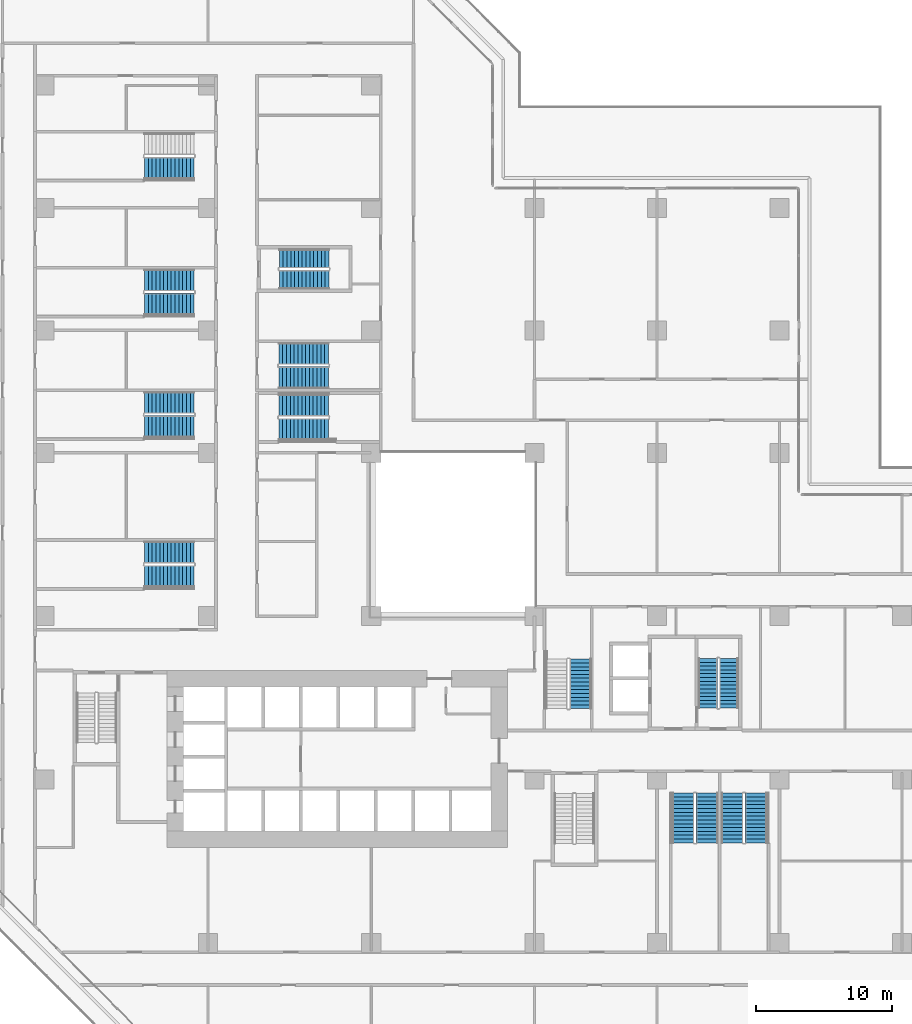
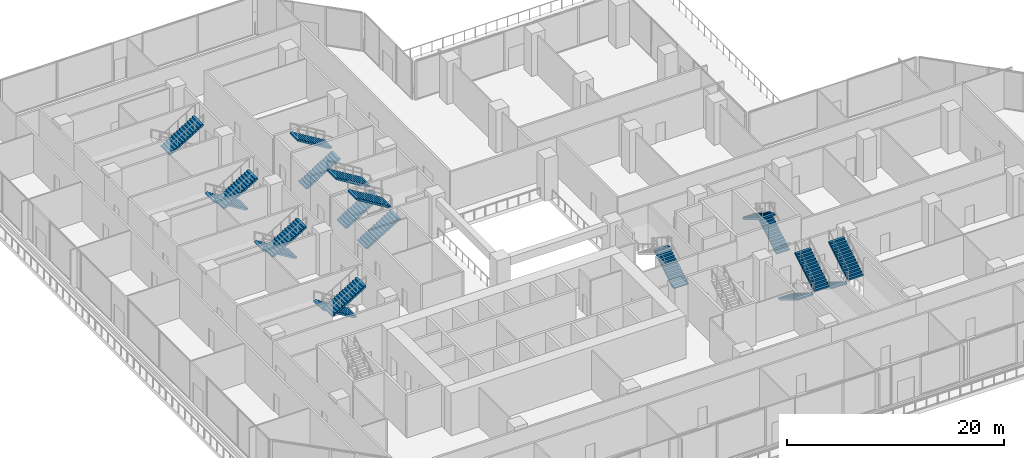
# One storey, part 20 of 26: 20 stair flights, 11 elements without a shape of their own.
"""IFC4 building model written with IfcOpenShell, lengths in metres."""

import ifcopenshell
import ifcopenshell.guid

model = None  # the IFC model being written
_history = None  # IfcOwnerHistory: only IFC2X3 demands one
_inside = {}  # id of a spatial element -> (the spatial element, [elements in it])
_under = {}  # id of a project, library or spatial element -> (it, [spatial elements below it])
_declared = {}  # id of a project -> (the project, [libraries it declares])
_typed = {}  # id of a type object -> (the type object, [elements of that type])
_made_of = {}  # id of a material, layer set ... -> (it, [elements and type objects made of it])


def new_model(schema):
    """Start an empty IFC model of exactly this schema.

    Asked for "IFC4X3", IfcOpenShell would pick the latest addendum, in which some entities
    have other attributes; the version numbers below select the first issue.
    IFC2X3 requires an IfcOwnerHistory on every rooted entity: one is made here for all.
    """
    global model, _history
    if schema == "IFC4X3":
        model = ifcopenshell.file(schema_version=(4, 3, 0, 0))
    else:
        model = ifcopenshell.file(schema=schema)
    _inside.clear()
    _under.clear()
    _declared.clear()
    _typed.clear()
    _made_of.clear()
    _history = None
    if model.schema == "IFC2X3":
        org = make("IfcOrganization", Name="unknown")
        user = make(
            "IfcPersonAndOrganization",
            ThePerson=make("IfcPerson", FamilyName="unknown"),
            TheOrganization=org,
        )
        app = make(
            "IfcApplication",
            ApplicationDeveloper=org,
            Version="unknown",
            ApplicationFullName="unknown",
            ApplicationIdentifier="unknown",
        )
        _history = make(
            "IfcOwnerHistory",
            OwningUser=user,
            OwningApplication=app,
            ChangeAction="ADDED",
            CreationDate=0,
        )
    return model


def make(cls, **values):
    """One entity of the class cls with the attributes given. An attribute that is None is left unset."""
    return model.create_entity(
        cls, **{name: value for name, value in values.items() if value is not None}
    )


def rooted(cls, **values):
    """An entity with a GlobalId (a new one), such as an element, a storey or a relation."""
    return make(cls, GlobalId=ifcopenshell.guid.new(), OwnerHistory=_history, **values)


def si_unit(unit_type, name, prefix=None):
    """IfcSIUnit, for example si_unit("LENGTHUNIT", "METRE", prefix="MILLI")."""
    return make("IfcSIUnit", UnitType=unit_type, Prefix=prefix, Name=name)


def assignment(units):
    """IfcUnitAssignment: the units of a project."""
    return None if units is None else make("IfcUnitAssignment", Units=units)


def point(xyz):
    """IfcCartesianPoint."""
    return None if xyz is None else make("IfcCartesianPoint", Coordinates=xyz)


def direction(xyz):
    """IfcDirection."""
    return None if xyz is None else make("IfcDirection", DirectionRatios=xyz)


def frame(location, z_axis=None, x_axis=None):
    """IfcAxis2Placement3D, a coordinate frame: its origin and axes. An axis left out is left unset."""
    return make(
        "IfcAxis2Placement3D",
        Location=point(location),
        Axis=direction(z_axis),
        RefDirection=direction(x_axis),
    )


def origin():
    """The frame at (0, 0, 0) with its axes left unset."""
    return frame((0.0, 0.0, 0.0))


def place(relative_to, where):
    """IfcLocalPlacement: puts the frame where relative to a parent placement (None: the world)."""
    return make(
        "IfcLocalPlacement", PlacementRelTo=relative_to, RelativePlacement=where
    )


def context(
    kind, dimensions, precision=None, world=None, true_north=None, identifier=None
):
    """IfcGeometricRepresentationContext, for example the 3D "Model" context."""
    return make(
        "IfcGeometricRepresentationContext",
        ContextIdentifier=identifier,
        ContextType=kind,
        CoordinateSpaceDimension=dimensions,
        Precision=precision,
        WorldCoordinateSystem=world,
        TrueNorth=true_north,
    )


def subcontext(parent, identifier, kind, view, scale=None):
    """IfcGeometricRepresentationSubContext, for example "Body" below "Model"."""
    return make(
        "IfcGeometricRepresentationSubContext",
        ContextIdentifier=identifier,
        ContextType=kind,
        ParentContext=parent,
        TargetScale=scale,
        TargetView=view,
    )


def project(units=None, contexts=None):
    """IfcProject with its units and contexts."""
    return rooted(
        "IfcProject",
        Name="project",
        RepresentationContexts=contexts,
        UnitsInContext=assignment(units),
    )


def spatial(cls, under=None, at=None, **own):
    """A site, building, storey or space (cls), placed at a placement, below another one or the project."""
    s = rooted(cls, ObjectPlacement=at, **own)
    if under is not None:
        _under.setdefault(under.id(), (under, []))[1].append(s)
    return s


def polyline(points):
    """IfcPolyline through the points."""
    return make("IfcPolyline", Points=[point(p) for p in points])


def outline(outer, holes=None, kind="AREA"):
    """IfcArbitraryClosedProfileDef: a profile drawn as a closed curve; with holes, ...WithVoids."""
    if holes is None:
        return make("IfcArbitraryClosedProfileDef", ProfileType=kind, OuterCurve=outer)
    return make(
        "IfcArbitraryProfileDefWithVoids",
        ProfileType=kind,
        OuterCurve=outer,
        InnerCurves=holes,
    )


def extrude(swept, where, along, depth):
    """IfcExtrudedAreaSolid: the profile swept, set in the frame where, extruded along a direction by depth."""
    return make(
        "IfcExtrudedAreaSolid",
        SweptArea=swept,
        Position=where,
        ExtrudedDirection=direction(along),
        Depth=depth,
    )


def shape(context_of_items, identifier, shape_type, items):
    """IfcShapeRepresentation: the items that make up one representation, for example the "Body"."""
    return make(
        "IfcShapeRepresentation",
        ContextOfItems=context_of_items,
        RepresentationIdentifier=identifier,
        RepresentationType=shape_type,
        Items=items,
    )


def material(Name=None, Category=None):
    """IfcMaterial."""
    return make("IfcMaterial", Name=Name, Category=Category)


def made_of(thing, what):
    """Note that an element or type object is made of a material, layer set ...; save() writes the relation."""
    if what is not None:
        _made_of.setdefault(what.id(), (what, []))[1].append(thing)
    return thing


def type_object(cls, material=None, **own):
    """A type object (cls), such as IfcWallType, which elements share."""
    return made_of(rooted(cls, **own), material)


def element(
    cls,
    number,
    at=None,
    inside=None,
    cuts=None,
    type_object=None,
    material=None,
    context=None,
    identifier="Body",
    shape_type=None,
    held_by="IfcProductDefinitionShape",
    body=None,
    shapes=None,
    **own,
):
    """One element of the class cls, such as IfcWall. Its Tag is "e" and its number.

    at: its placement. inside: the storey or other place that contains it. cuts: it is an
    opening in that element (IfcRelVoidsElement). A single representation is given by context,
    identifier, shape_type and body (its items); several are given by shapes. held_by: the class
    of the entity that holds the representations. save() writes the other relations.
    """
    e = rooted(cls, Tag="e%d" % number, ObjectPlacement=at, **own)
    if body is not None:
        shapes = [shape(context, identifier, shape_type, body)]
    if shapes is not None:
        e.Representation = make(held_by, Representations=shapes)
    if inside is not None:
        _inside.setdefault(inside.id(), (inside, []))[1].append(e)
    if cuts is not None:
        rooted(
            "IfcRelVoidsElement", RelatingBuildingElement=cuts, RelatedOpeningElement=e
        )
    if type_object is not None:
        _typed.setdefault(type_object.id(), (type_object, []))[1].append(e)
    return made_of(e, material)


def aggregate(whole, parts):
    """IfcRelAggregates: a whole, such as a stair, and the parts it consists of."""
    return rooted("IfcRelAggregates", RelatingObject=whole, RelatedObjects=parts)


def save(model, path):
    """Write the relations noted so far, then the file.

    IfcRelAggregates (storeys below a building ...), IfcRelContainedInSpatialStructure (elements
    in a storey), IfcRelDefinesByType, IfcRelAssociatesMaterial and IfcRelDeclares: one each for
    every whole, place, type object, material and project.
    """
    for whole, parts in _under.values():
        aggregate(whole, parts)
    for where, things in _inside.values():
        rooted(
            "IfcRelContainedInSpatialStructure",
            RelatedElements=things,
            RelatingStructure=where,
        )
    for kind, things in _typed.values():
        rooted("IfcRelDefinesByType", RelatedObjects=things, RelatingType=kind)
    for what, things in _made_of.values():
        rooted("IfcRelAssociatesMaterial", RelatedObjects=things, RelatingMaterial=what)
    for by, libraries in _declared.values():
        rooted("IfcRelDeclares", RelatingContext=by, RelatedDefinitions=libraries)
    model.write(path)


model = new_model("IFC4")

# Units and contexts
model_context = context("Model", 3, precision=1e-05, world=origin(), true_north=direction((0.0, 1.0)))
body_context = subcontext(model_context, "Body", "Model", "MODEL_VIEW")
ifc_project = project(units=[si_unit("LENGTHUNIT", "METRE"), si_unit("AREAUNIT", "SQUARE_METRE"), si_unit("VOLUMEUNIT", "CUBIC_METRE"), si_unit("PLANEANGLEUNIT", "RADIAN"), si_unit("MASSUNIT", "GRAM", prefix="KILO")], contexts=[model_context])

# Site, building, storey
site_placement = place(None, origin())
site = spatial("IfcSite", under=ifc_project, at=site_placement, CompositionType="ELEMENT")
building_placement = place(site_placement, origin())
building = spatial("IfcBuilding", under=site, at=building_placement, Name="Chenar Terraces", CompositionType="ELEMENT")
storey_placement = place(building_placement, frame((0.0, 0.0, 16.800048828125)))
storey = spatial("IfcBuildingStorey", under=building, at=storey_placement, Name="L03", CompositionType="ELEMENT", Elevation=16.800048828125)

# Stair, stair flights
ifc_material_1 = material(Name="Reinforced concrete C40/50", Category="concrete")
stair_type = type_object("IfcStairType", Name="Core stair 1400 half-turn", PredefinedType="HALF_TURN_STAIR", material=ifc_material_1)
placement = place(storey_placement, origin())
stair_1 = element("IfcStair", 1, at=placement, inside=storey, type_object=stair_type, Name="L03 Stair 3", PredefinedType="HALF_TURN_STAIR")
ifc_material_2 = material(Name="Reinforced concrete C40/50", Category="concrete")
stair_flight_type = type_object("IfcStairFlightType", Name="Core stair flight 1400", PredefinedType="STRAIGHT", material=ifc_material_2)
stair_flight_1_placement = place(storey_placement, frame((50.27490234375, 17.25, 0.0), z_axis=(0.0, 0.0, 1.0), x_axis=(0.0, 1.0, 0.0)))
stair_flight_1 = element("IfcStairFlight", 2, at=stair_flight_1_placement, type_object=stair_flight_type, Name="ST3 flight 1", NumberOfRisers=14, NumberOfTreads=13, PredefinedType="STRAIGHT", RiserHeight=0.171428571, TreadLength=0.28, context=body_context, shape_type="SweptSolid", body=[
    extrude(outline(polyline([(-0.0029296875, 0.0), (-0.0029296875, 0.17138671875), (0.0, 0.17138671875), (0.280029296875, 0.17138671875), (0.280029296875, 0.3427734375), (0.56005859375, 0.3427734375), (0.56005859375, 0.514404296875), (0.840087890625, 0.514404296875), (0.840087890625, 0.685791015625), (1.1201171875, 0.685791015625), (1.1201171875, 0.857177734375), (1.39990234375, 0.857177734375), (1.39990234375, 1.028564453125), (1.679931640625, 1.028564453125), (1.679931640625, 1.199951171875), (1.9599609375, 1.199951171875), (1.9599609375, 1.371337890625), (2.239990234375, 1.371337890625), (2.239990234375, 1.54296875), (2.52001953125, 1.54296875), (2.52001953125, 1.71435546875), (2.800048828125, 1.71435546875), (2.800048828125, 1.8857421875), (3.080078125, 1.8857421875), (3.080078125, 2.05712890625), (3.360107421875, 2.05712890625), (3.360107421875, 2.228515625), (3.639892578125, 2.228515625), (3.64306640625, 2.228515625), (3.64306640625, 2.052734375), (3.639892578125, 2.052734375), (0.287109375, 0.0), (-0.0029296875, 0.0)])), frame((0.0, 0.699951171875, 0.0), z_axis=(0.0, -1.0, 0.0), x_axis=(1.0, 0.0, 0.0)), (0.0, 0.0, 1.0), 1.39990234375),
])
stair_flight_2_placement = place(storey_placement, frame((48.72509765625, 20.889892578125, 2.39990234375), z_axis=(0.0, 0.0, 1.0), x_axis=(0.0, -1.0, 0.0)))
stair_flight_2 = element("IfcStairFlight", 3, at=stair_flight_2_placement, type_object=stair_flight_type, Name="ST3 flight 2", NumberOfRisers=14, NumberOfTreads=13, PredefinedType="STRAIGHT", RiserHeight=0.171428571, TreadLength=0.28, context=body_context, shape_type="SweptSolid", body=[
    extrude(outline(polyline([(-0.0029296875, 0.0), (-0.0029296875, 0.17138671875), (0.0, 0.17138671875), (0.280029296875, 0.17138671875), (0.280029296875, 0.3427734375), (0.56005859375, 0.3427734375), (0.56005859375, 0.514404296875), (0.840087890625, 0.514404296875), (0.840087890625, 0.685791015625), (1.1201171875, 0.685791015625), (1.1201171875, 0.857177734375), (1.39990234375, 0.857177734375), (1.39990234375, 1.028564453125), (1.679931640625, 1.028564453125), (1.679931640625, 1.199951171875), (1.9599609375, 1.199951171875), (1.9599609375, 1.371337890625), (2.239990234375, 1.371337890625), (2.239990234375, 1.54296875), (2.52001953125, 1.54296875), (2.52001953125, 1.71435546875), (2.800048828125, 1.71435546875), (2.800048828125, 1.8857421875), (3.080078125, 1.8857421875), (3.080078125, 2.05712890625), (3.360107421875, 2.05712890625), (3.360107421875, 2.228515625), (3.639892578125, 2.228515625), (3.64306640625, 2.228515625), (3.64306640625, 2.052734375), (3.639892578125, 2.052734375), (0.287109375, 0.0), (-0.0029296875, 0.0)])), frame((0.0, 0.699951171875, 0.0), z_axis=(0.0, -1.0, 0.0), x_axis=(1.0, 0.0, 0.0)), (0.0, 0.0, 1.0), 1.39990234375),
])
aggregate(stair_1, [stair_flight_1, stair_flight_2])

stair_2 = element("IfcStair", 4, at=placement, inside=storey, type_object=stair_type, Name="L03 Stair 4", PredefinedType="HALF_TURN_STAIR")
stair_flight_3_placement = place(storey_placement, frame((17.25, 48.72509765625, 0.0), z_axis=(0.0, 0.0, 1.0), x_axis=(1.0, 0.0, 0.0)))
stair_flight_3 = element("IfcStairFlight", 5, at=stair_flight_3_placement, type_object=stair_flight_type, Name="ST4 flight 1", NumberOfRisers=14, NumberOfTreads=13, PredefinedType="STRAIGHT", RiserHeight=0.171428571, TreadLength=0.28, context=body_context, shape_type="SweptSolid", body=[
    extrude(outline(polyline([(-0.0029296875, 0.0), (-0.0029296875, 0.17138671875), (0.0, 0.17138671875), (0.280029296875, 0.17138671875), (0.280029296875, 0.3427734375), (0.56005859375, 0.3427734375), (0.56005859375, 0.514404296875), (0.840087890625, 0.514404296875), (0.840087890625, 0.685791015625), (1.1201171875, 0.685791015625), (1.1201171875, 0.857177734375), (1.39990234375, 0.857177734375), (1.39990234375, 1.028564453125), (1.679931640625, 1.028564453125), (1.679931640625, 1.199951171875), (1.9599609375, 1.199951171875), (1.9599609375, 1.371337890625), (2.239990234375, 1.371337890625), (2.239990234375, 1.54296875), (2.52001953125, 1.54296875), (2.52001953125, 1.71435546875), (2.800048828125, 1.71435546875), (2.800048828125, 1.8857421875), (3.080078125, 1.8857421875), (3.080078125, 2.05712890625), (3.360107421875, 2.05712890625), (3.360107421875, 2.228515625), (3.639892578125, 2.228515625), (3.64306640625, 2.228515625), (3.64306640625, 2.052734375), (3.639892578125, 2.052734375), (0.287109375, 0.0), (-0.0029296875, 0.0)])), frame((0.0, 0.699951171875, 0.0), z_axis=(0.0, -1.0, 0.0), x_axis=(1.0, 0.0, 0.0)), (0.0, 0.0, 1.0), 1.39990234375),
])
stair_flight_4_placement = place(storey_placement, frame((20.889892578125, 50.27490234375, 2.39990234375), z_axis=(0.0, 0.0, 1.0), x_axis=(-1.0, 0.0, 0.0)))
stair_flight_4 = element("IfcStairFlight", 6, at=stair_flight_4_placement, type_object=stair_flight_type, Name="ST4 flight 2", NumberOfRisers=14, NumberOfTreads=13, PredefinedType="STRAIGHT", RiserHeight=0.171428571, TreadLength=0.28, context=body_context, shape_type="SweptSolid", body=[
    extrude(outline(polyline([(-0.0029296875, 0.0), (-0.0029296875, 0.17138671875), (0.0, 0.17138671875), (0.280029296875, 0.17138671875), (0.280029296875, 0.3427734375), (0.56005859375, 0.3427734375), (0.56005859375, 0.514404296875), (0.840087890625, 0.514404296875), (0.840087890625, 0.685791015625), (1.1201171875, 0.685791015625), (1.1201171875, 0.857177734375), (1.39990234375, 0.857177734375), (1.39990234375, 1.028564453125), (1.679931640625, 1.028564453125), (1.679931640625, 1.199951171875), (1.9599609375, 1.199951171875), (1.9599609375, 1.371337890625), (2.239990234375, 1.371337890625), (2.239990234375, 1.54296875), (2.52001953125, 1.54296875), (2.52001953125, 1.71435546875), (2.800048828125, 1.71435546875), (2.800048828125, 1.8857421875), (3.080078125, 1.8857421875), (3.080078125, 2.05712890625), (3.360107421875, 2.05712890625), (3.360107421875, 2.228515625), (3.639892578125, 2.228515625), (3.64306640625, 2.228515625), (3.64306640625, 2.052734375), (3.639892578125, 2.052734375), (0.287109375, 0.0), (-0.0029296875, 0.0)])), frame((0.0, 0.699951171875, 0.0), z_axis=(0.0, -1.0, 0.0), x_axis=(1.0, 0.0, 0.0)), (0.0, 0.0, 1.0), 1.39990234375),
])
aggregate(stair_2, [stair_flight_3, stair_flight_4])

# Stair, stair flight
stair_3 = element("IfcStair", 7, at=placement, inside=storey, type_object=stair_type, Name="L03 Exit stair PS1", PredefinedType="HALF_TURN_STAIR")
stair_flight_5_placement = place(storey_placement, frame((39.375, 17.199951171875, 0.0), z_axis=(0.0, 0.0, 1.0), x_axis=(0.0, 1.0, 0.0)))
stair_flight_5 = element("IfcStairFlight", 8, at=stair_flight_5_placement, type_object=stair_flight_type, Name="PS1 flight 1", NumberOfRisers=14, NumberOfTreads=13, PredefinedType="STRAIGHT", RiserHeight=0.171428571, TreadLength=0.28, context=body_context, shape_type="SweptSolid", body=[
    extrude(outline(polyline([(-0.0029296875, 0.0), (-0.0029296875, 0.17138671875), (0.0, 0.17138671875), (0.280029296875, 0.17138671875), (0.280029296875, 0.3427734375), (0.56005859375, 0.3427734375), (0.56005859375, 0.514404296875), (0.840087890625, 0.514404296875), (0.840087890625, 0.685791015625), (1.1201171875, 0.685791015625), (1.1201171875, 0.857177734375), (1.39990234375, 0.857177734375), (1.39990234375, 1.028564453125), (1.679931640625, 1.028564453125), (1.679931640625, 1.199951171875), (1.9599609375, 1.199951171875), (1.9599609375, 1.371337890625), (2.239990234375, 1.371337890625), (2.239990234375, 1.54296875), (2.52001953125, 1.54296875), (2.52001953125, 1.71435546875), (2.800048828125, 1.71435546875), (2.800048828125, 1.8857421875), (3.080078125, 1.8857421875), (3.080078125, 2.05712890625), (3.360107421875, 2.05712890625), (3.360107421875, 2.228515625), (3.639892578125, 2.228515625), (3.64306640625, 2.228515625), (3.64306640625, 2.052734375), (3.639892578125, 2.052734375), (0.287109375, 0.0), (-0.0029296875, 0.0)])), frame((0.0, 0.800048828125, 0.0), z_axis=(0.0, -1.0, 0.0), x_axis=(1.0, 0.0, 0.0)), (0.0, 0.0, 1.0), 1.60009765625),
])
aggregate(stair_3, [stair_flight_5])

# Stair, stair flights
stair_4 = element("IfcStair", 9, at=placement, inside=storey, type_object=stair_type, Name="L03 Exit stair PS2", PredefinedType="HALF_TURN_STAIR")
stair_flight_6_placement = place(storey_placement, frame((50.517578125, 10.985107421875, 0.0), z_axis=(0.0, 0.0, 1.0), x_axis=(0.0, -1.0, 0.0)))
stair_flight_6 = element("IfcStairFlight", 10, at=stair_flight_6_placement, type_object=stair_flight_type, Name="PS2 flight 1", NumberOfRisers=14, NumberOfTreads=13, PredefinedType="STRAIGHT", RiserHeight=0.171428571, TreadLength=0.28, context=body_context, shape_type="SweptSolid", body=[
    extrude(outline(polyline([(-0.0029296875, 0.0), (-0.0029296875, 0.17138671875), (0.0, 0.17138671875), (0.280029296875, 0.17138671875), (0.280029296875, 0.3427734375), (0.56005859375, 0.3427734375), (0.56005859375, 0.514404296875), (0.840087890625, 0.514404296875), (0.840087890625, 0.685791015625), (1.1201171875, 0.685791015625), (1.1201171875, 0.857177734375), (1.39990234375, 0.857177734375), (1.39990234375, 1.028564453125), (1.679931640625, 1.028564453125), (1.679931640625, 1.199951171875), (1.9599609375, 1.199951171875), (1.9599609375, 1.371337890625), (2.239990234375, 1.371337890625), (2.239990234375, 1.54296875), (2.52001953125, 1.54296875), (2.52001953125, 1.71435546875), (2.800048828125, 1.71435546875), (2.800048828125, 1.8857421875), (3.080078125, 1.8857421875), (3.080078125, 2.05712890625), (3.360107421875, 2.05712890625), (3.360107421875, 2.228515625), (3.639892578125, 2.228515625), (3.64306640625, 2.228515625), (3.64306640625, 2.052734375), (3.639892578125, 2.052734375), (0.287109375, 0.0), (-0.0029296875, 0.0)])), frame((0.0, 0.8076171875, 0.0), z_axis=(0.0, -1.0, 0.0), x_axis=(1.0, 0.0, 0.0)), (0.0, 0.0, 1.0), 1.614990234375),
])
stair_flight_7_placement = place(storey_placement, frame((52.282470703125, 7.344970703125, 2.39990234375), z_axis=(0.0, 0.0, 1.0), x_axis=(0.0, 1.0, 0.0)))
stair_flight_7 = element("IfcStairFlight", 11, at=stair_flight_7_placement, type_object=stair_flight_type, Name="PS2 flight 2", NumberOfRisers=14, NumberOfTreads=13, PredefinedType="STRAIGHT", RiserHeight=0.171428571, TreadLength=0.28, context=body_context, shape_type="SweptSolid", body=[
    extrude(outline(polyline([(-0.0029296875, 0.0), (-0.0029296875, 0.17138671875), (0.0, 0.17138671875), (0.280029296875, 0.17138671875), (0.280029296875, 0.3427734375), (0.56005859375, 0.3427734375), (0.56005859375, 0.514404296875), (0.840087890625, 0.514404296875), (0.840087890625, 0.685791015625), (1.1201171875, 0.685791015625), (1.1201171875, 0.857177734375), (1.39990234375, 0.857177734375), (1.39990234375, 1.028564453125), (1.679931640625, 1.028564453125), (1.679931640625, 1.199951171875), (1.9599609375, 1.199951171875), (1.9599609375, 1.371337890625), (2.239990234375, 1.371337890625), (2.239990234375, 1.54296875), (2.52001953125, 1.54296875), (2.52001953125, 1.71435546875), (2.800048828125, 1.71435546875), (2.800048828125, 1.8857421875), (3.080078125, 1.8857421875), (3.080078125, 2.05712890625), (3.360107421875, 2.05712890625), (3.360107421875, 2.228515625), (3.639892578125, 2.228515625), (3.64306640625, 2.228515625), (3.64306640625, 2.052734375), (3.639892578125, 2.052734375), (0.287109375, 0.0), (-0.0029296875, 0.0)])), frame((0.0, 0.8076171875, 0.0), z_axis=(0.0, -1.0, 0.0), x_axis=(1.0, 0.0, 0.0)), (0.0, 0.0, 1.0), 1.614990234375),
])
aggregate(stair_4, [stair_flight_6, stair_flight_7])

# Stair, stair flight
stair_5 = element("IfcStair", 12, at=placement, inside=storey, type_object=stair_type, Name="L03 Exit stair PS3", PredefinedType="HALF_TURN_STAIR")
stair_flight_8_placement = place(storey_placement, frame((7.344970703125, 56.91748046875, 2.39990234375), z_axis=(0.0, 0.0, 1.0), x_axis=(1.0, 0.0, 0.0)))
stair_flight_8 = element("IfcStairFlight", 13, at=stair_flight_8_placement, type_object=stair_flight_type, Name="PS3 flight 2", NumberOfRisers=14, NumberOfTreads=13, PredefinedType="STRAIGHT", RiserHeight=0.171428571, TreadLength=0.28, context=body_context, shape_type="SweptSolid", body=[
    extrude(outline(polyline([(-0.0029296875, 0.0), (-0.0029296875, 0.17138671875), (0.0, 0.17138671875), (0.280029296875, 0.17138671875), (0.280029296875, 0.3427734375), (0.56005859375, 0.3427734375), (0.56005859375, 0.514404296875), (0.840087890625, 0.514404296875), (0.840087890625, 0.685791015625), (1.1201171875, 0.685791015625), (1.1201171875, 0.857177734375), (1.39990234375, 0.857177734375), (1.39990234375, 1.028564453125), (1.679931640625, 1.028564453125), (1.679931640625, 1.199951171875), (1.9599609375, 1.199951171875), (1.9599609375, 1.371337890625), (2.239990234375, 1.371337890625), (2.239990234375, 1.54296875), (2.52001953125, 1.54296875), (2.52001953125, 1.71435546875), (2.800048828125, 1.71435546875), (2.800048828125, 1.8857421875), (3.080078125, 1.8857421875), (3.080078125, 2.05712890625), (3.360107421875, 2.05712890625), (3.360107421875, 2.228515625), (3.639892578125, 2.228515625), (3.64306640625, 2.228515625), (3.64306640625, 2.052734375), (3.639892578125, 2.052734375), (0.287109375, 0.0), (-0.0029296875, 0.0)])), frame((0.0, 0.8076171875, 0.0), z_axis=(0.0, -1.0, 0.0), x_axis=(1.0, 0.0, 0.0)), (0.0, 0.0, 1.0), 1.614990234375),
])
aggregate(stair_5, [stair_flight_8])

# Stair, stair flights
stair_6 = element("IfcStair", 14, at=placement, inside=storey, type_object=stair_type, Name="L03 Exit stair PS4", PredefinedType="HALF_TURN_STAIR")
stair_flight_9_placement = place(storey_placement, frame((10.985107421875, 48.6826171875, 0.0), z_axis=(0.0, 0.0, 1.0), x_axis=(-1.0, 0.0, 0.0)))
stair_flight_9 = element("IfcStairFlight", 15, at=stair_flight_9_placement, type_object=stair_flight_type, Name="PS4 flight 1", NumberOfRisers=14, NumberOfTreads=13, PredefinedType="STRAIGHT", RiserHeight=0.171428571, TreadLength=0.28, context=body_context, shape_type="SweptSolid", body=[
    extrude(outline(polyline([(-0.0029296875, 0.0), (-0.0029296875, 0.17138671875), (0.0, 0.17138671875), (0.280029296875, 0.17138671875), (0.280029296875, 0.3427734375), (0.56005859375, 0.3427734375), (0.56005859375, 0.514404296875), (0.840087890625, 0.514404296875), (0.840087890625, 0.685791015625), (1.1201171875, 0.685791015625), (1.1201171875, 0.857177734375), (1.39990234375, 0.857177734375), (1.39990234375, 1.028564453125), (1.679931640625, 1.028564453125), (1.679931640625, 1.199951171875), (1.9599609375, 1.199951171875), (1.9599609375, 1.371337890625), (2.239990234375, 1.371337890625), (2.239990234375, 1.54296875), (2.52001953125, 1.54296875), (2.52001953125, 1.71435546875), (2.800048828125, 1.71435546875), (2.800048828125, 1.8857421875), (3.080078125, 1.8857421875), (3.080078125, 2.05712890625), (3.360107421875, 2.05712890625), (3.360107421875, 2.228515625), (3.639892578125, 2.228515625), (3.64306640625, 2.228515625), (3.64306640625, 2.052734375), (3.639892578125, 2.052734375), (0.287109375, 0.0), (-0.0029296875, 0.0)])), frame((0.0, 0.8076171875, 0.0), z_axis=(0.0, -1.0, 0.0), x_axis=(1.0, 0.0, 0.0)), (0.0, 0.0, 1.0), 1.614990234375),
])
stair_flight_10_placement = place(storey_placement, frame((7.344970703125, 46.91748046875, 2.39990234375), z_axis=(0.0, 0.0, 1.0), x_axis=(1.0, 0.0, 0.0)))
stair_flight_10 = element("IfcStairFlight", 16, at=stair_flight_10_placement, type_object=stair_flight_type, Name="PS4 flight 2", NumberOfRisers=14, NumberOfTreads=13, PredefinedType="STRAIGHT", RiserHeight=0.171428571, TreadLength=0.28, context=body_context, shape_type="SweptSolid", body=[
    extrude(outline(polyline([(-0.0029296875, 0.0), (-0.0029296875, 0.17138671875), (0.0, 0.17138671875), (0.280029296875, 0.17138671875), (0.280029296875, 0.3427734375), (0.56005859375, 0.3427734375), (0.56005859375, 0.514404296875), (0.840087890625, 0.514404296875), (0.840087890625, 0.685791015625), (1.1201171875, 0.685791015625), (1.1201171875, 0.857177734375), (1.39990234375, 0.857177734375), (1.39990234375, 1.028564453125), (1.679931640625, 1.028564453125), (1.679931640625, 1.199951171875), (1.9599609375, 1.199951171875), (1.9599609375, 1.371337890625), (2.239990234375, 1.371337890625), (2.239990234375, 1.54296875), (2.52001953125, 1.54296875), (2.52001953125, 1.71435546875), (2.800048828125, 1.71435546875), (2.800048828125, 1.8857421875), (3.080078125, 1.8857421875), (3.080078125, 2.05712890625), (3.360107421875, 2.05712890625), (3.360107421875, 2.228515625), (3.639892578125, 2.228515625), (3.64306640625, 2.228515625), (3.64306640625, 2.052734375), (3.639892578125, 2.052734375), (0.287109375, 0.0), (-0.0029296875, 0.0)])), frame((0.0, 0.8076171875, 0.0), z_axis=(0.0, -1.0, 0.0), x_axis=(1.0, 0.0, 0.0)), (0.0, 0.0, 1.0), 1.614990234375),
])
aggregate(stair_6, [stair_flight_9, stair_flight_10])

stair_7 = element("IfcStair", 17, at=placement, inside=storey, type_object=stair_type, Name="L03 Exit stair PS5", PredefinedType="HALF_TURN_STAIR")
stair_flight_11_placement = place(storey_placement, frame((10.985107421875, 28.6826171875, 0.0), z_axis=(0.0, 0.0, 1.0), x_axis=(-1.0, 0.0, 0.0)))
stair_flight_11 = element("IfcStairFlight", 18, at=stair_flight_11_placement, type_object=stair_flight_type, Name="PS5 flight 1", NumberOfRisers=14, NumberOfTreads=13, PredefinedType="STRAIGHT", RiserHeight=0.171428571, TreadLength=0.28, context=body_context, shape_type="SweptSolid", body=[
    extrude(outline(polyline([(-0.0029296875, 0.0), (-0.0029296875, 0.17138671875), (0.0, 0.17138671875), (0.280029296875, 0.17138671875), (0.280029296875, 0.3427734375), (0.56005859375, 0.3427734375), (0.56005859375, 0.514404296875), (0.840087890625, 0.514404296875), (0.840087890625, 0.685791015625), (1.1201171875, 0.685791015625), (1.1201171875, 0.857177734375), (1.39990234375, 0.857177734375), (1.39990234375, 1.028564453125), (1.679931640625, 1.028564453125), (1.679931640625, 1.199951171875), (1.9599609375, 1.199951171875), (1.9599609375, 1.371337890625), (2.239990234375, 1.371337890625), (2.239990234375, 1.54296875), (2.52001953125, 1.54296875), (2.52001953125, 1.71435546875), (2.800048828125, 1.71435546875), (2.800048828125, 1.8857421875), (3.080078125, 1.8857421875), (3.080078125, 2.05712890625), (3.360107421875, 2.05712890625), (3.360107421875, 2.228515625), (3.639892578125, 2.228515625), (3.64306640625, 2.228515625), (3.64306640625, 2.052734375), (3.639892578125, 2.052734375), (0.287109375, 0.0), (-0.0029296875, 0.0)])), frame((0.0, 0.8076171875, 0.0), z_axis=(0.0, -1.0, 0.0), x_axis=(1.0, 0.0, 0.0)), (0.0, 0.0, 1.0), 1.614990234375),
])
stair_flight_12_placement = place(storey_placement, frame((7.344970703125, 26.91748046875, 2.39990234375), z_axis=(0.0, 0.0, 1.0), x_axis=(1.0, 0.0, 0.0)))
stair_flight_12 = element("IfcStairFlight", 19, at=stair_flight_12_placement, type_object=stair_flight_type, Name="PS5 flight 2", NumberOfRisers=14, NumberOfTreads=13, PredefinedType="STRAIGHT", RiserHeight=0.171428571, TreadLength=0.28, context=body_context, shape_type="SweptSolid", body=[
    extrude(outline(polyline([(-0.0029296875, 0.0), (-0.0029296875, 0.17138671875), (0.0, 0.17138671875), (0.280029296875, 0.17138671875), (0.280029296875, 0.3427734375), (0.56005859375, 0.3427734375), (0.56005859375, 0.514404296875), (0.840087890625, 0.514404296875), (0.840087890625, 0.685791015625), (1.1201171875, 0.685791015625), (1.1201171875, 0.857177734375), (1.39990234375, 0.857177734375), (1.39990234375, 1.028564453125), (1.679931640625, 1.028564453125), (1.679931640625, 1.199951171875), (1.9599609375, 1.199951171875), (1.9599609375, 1.371337890625), (2.239990234375, 1.371337890625), (2.239990234375, 1.54296875), (2.52001953125, 1.54296875), (2.52001953125, 1.71435546875), (2.800048828125, 1.71435546875), (2.800048828125, 1.8857421875), (3.080078125, 1.8857421875), (3.080078125, 2.05712890625), (3.360107421875, 2.05712890625), (3.360107421875, 2.228515625), (3.639892578125, 2.228515625), (3.64306640625, 2.228515625), (3.64306640625, 2.052734375), (3.639892578125, 2.052734375), (0.287109375, 0.0), (-0.0029296875, 0.0)])), frame((0.0, 0.8076171875, 0.0), z_axis=(0.0, -1.0, 0.0), x_axis=(1.0, 0.0, 0.0)), (0.0, 0.0, 1.0), 1.614990234375),
])
aggregate(stair_7, [stair_flight_11, stair_flight_12])

stair_8 = element("IfcStair", 20, at=placement, inside=storey, type_object=stair_type, Name="L03 Exit stair PS6", PredefinedType="HALF_TURN_STAIR")
stair_flight_13_placement = place(storey_placement, frame((46.91748046875, 10.985107421875, 0.0), z_axis=(0.0, 0.0, 1.0), x_axis=(0.0, -1.0, 0.0)))
stair_flight_13 = element("IfcStairFlight", 21, at=stair_flight_13_placement, type_object=stair_flight_type, Name="PS6 flight 1", NumberOfRisers=14, NumberOfTreads=13, PredefinedType="STRAIGHT", RiserHeight=0.171428571, TreadLength=0.28, context=body_context, shape_type="SweptSolid", body=[
    extrude(outline(polyline([(-0.0029296875, 0.0), (-0.0029296875, 0.17138671875), (0.0, 0.17138671875), (0.280029296875, 0.17138671875), (0.280029296875, 0.3427734375), (0.56005859375, 0.3427734375), (0.56005859375, 0.514404296875), (0.840087890625, 0.514404296875), (0.840087890625, 0.685791015625), (1.1201171875, 0.685791015625), (1.1201171875, 0.857177734375), (1.39990234375, 0.857177734375), (1.39990234375, 1.028564453125), (1.679931640625, 1.028564453125), (1.679931640625, 1.199951171875), (1.9599609375, 1.199951171875), (1.9599609375, 1.371337890625), (2.239990234375, 1.371337890625), (2.239990234375, 1.54296875), (2.52001953125, 1.54296875), (2.52001953125, 1.71435546875), (2.800048828125, 1.71435546875), (2.800048828125, 1.8857421875), (3.080078125, 1.8857421875), (3.080078125, 2.05712890625), (3.360107421875, 2.05712890625), (3.360107421875, 2.228515625), (3.639892578125, 2.228515625), (3.64306640625, 2.228515625), (3.64306640625, 2.052734375), (3.639892578125, 2.052734375), (0.287109375, 0.0), (-0.0029296875, 0.0)])), frame((0.0, 0.8076171875, 0.0), z_axis=(0.0, -1.0, 0.0), x_axis=(1.0, 0.0, 0.0)), (0.0, 0.0, 1.0), 1.614990234375),
])
stair_flight_14_placement = place(storey_placement, frame((48.6826171875, 7.344970703125, 2.39990234375), z_axis=(0.0, 0.0, 1.0), x_axis=(0.0, 1.0, 0.0)))
stair_flight_14 = element("IfcStairFlight", 22, at=stair_flight_14_placement, type_object=stair_flight_type, Name="PS6 flight 2", NumberOfRisers=14, NumberOfTreads=13, PredefinedType="STRAIGHT", RiserHeight=0.171428571, TreadLength=0.28, context=body_context, shape_type="SweptSolid", body=[
    extrude(outline(polyline([(-0.0029296875, 0.0), (-0.0029296875, 0.17138671875), (0.0, 0.17138671875), (0.280029296875, 0.17138671875), (0.280029296875, 0.3427734375), (0.56005859375, 0.3427734375), (0.56005859375, 0.514404296875), (0.840087890625, 0.514404296875), (0.840087890625, 0.685791015625), (1.1201171875, 0.685791015625), (1.1201171875, 0.857177734375), (1.39990234375, 0.857177734375), (1.39990234375, 1.028564453125), (1.679931640625, 1.028564453125), (1.679931640625, 1.199951171875), (1.9599609375, 1.199951171875), (1.9599609375, 1.371337890625), (2.239990234375, 1.371337890625), (2.239990234375, 1.54296875), (2.52001953125, 1.54296875), (2.52001953125, 1.71435546875), (2.800048828125, 1.71435546875), (2.800048828125, 1.8857421875), (3.080078125, 1.8857421875), (3.080078125, 2.05712890625), (3.360107421875, 2.05712890625), (3.360107421875, 2.228515625), (3.639892578125, 2.228515625), (3.64306640625, 2.228515625), (3.64306640625, 2.052734375), (3.639892578125, 2.052734375), (0.287109375, 0.0), (-0.0029296875, 0.0)])), frame((0.0, 0.8076171875, 0.0), z_axis=(0.0, -1.0, 0.0), x_axis=(1.0, 0.0, 0.0)), (0.0, 0.0, 1.0), 1.614990234375),
])
aggregate(stair_8, [stair_flight_13, stair_flight_14])

stair_9 = element("IfcStair", 23, at=placement, inside=storey, type_object=stair_type, Name="L03 Exit stair PS7", PredefinedType="HALF_TURN_STAIR")
stair_flight_15_placement = place(storey_placement, frame((17.215087890625, 37.717529296875, 0.0), z_axis=(0.0, 0.0, 1.0), x_axis=(1.0, 0.0, 0.0)))
stair_flight_15 = element("IfcStairFlight", 24, at=stair_flight_15_placement, type_object=stair_flight_type, Name="PS7 flight 1", NumberOfRisers=14, NumberOfTreads=13, PredefinedType="STRAIGHT", RiserHeight=0.171428571, TreadLength=0.28, context=body_context, shape_type="SweptSolid", body=[
    extrude(outline(polyline([(-0.0029296875, 0.0), (-0.0029296875, 0.17138671875), (0.0, 0.17138671875), (0.280029296875, 0.17138671875), (0.280029296875, 0.3427734375), (0.56005859375, 0.3427734375), (0.56005859375, 0.514404296875), (0.840087890625, 0.514404296875), (0.840087890625, 0.685791015625), (1.1201171875, 0.685791015625), (1.1201171875, 0.857177734375), (1.39990234375, 0.857177734375), (1.39990234375, 1.028564453125), (1.679931640625, 1.028564453125), (1.679931640625, 1.199951171875), (1.9599609375, 1.199951171875), (1.9599609375, 1.371337890625), (2.239990234375, 1.371337890625), (2.239990234375, 1.54296875), (2.52001953125, 1.54296875), (2.52001953125, 1.71435546875), (2.800048828125, 1.71435546875), (2.800048828125, 1.8857421875), (3.080078125, 1.8857421875), (3.080078125, 2.05712890625), (3.360107421875, 2.05712890625), (3.360107421875, 2.228515625), (3.639892578125, 2.228515625), (3.64306640625, 2.228515625), (3.64306640625, 2.052734375), (3.639892578125, 2.052734375), (0.287109375, 0.0), (-0.0029296875, 0.0)])), frame((0.0, 0.8076171875, 0.0), z_axis=(0.0, -1.0, 0.0), x_axis=(1.0, 0.0, 0.0)), (0.0, 0.0, 1.0), 1.614990234375),
])
stair_flight_16_placement = place(storey_placement, frame((20.85498046875, 39.482421875, 2.39990234375), z_axis=(0.0, 0.0, 1.0), x_axis=(-1.0, 0.0, 0.0)))
stair_flight_16 = element("IfcStairFlight", 25, at=stair_flight_16_placement, type_object=stair_flight_type, Name="PS7 flight 2", NumberOfRisers=14, NumberOfTreads=13, PredefinedType="STRAIGHT", RiserHeight=0.171428571, TreadLength=0.28, context=body_context, shape_type="SweptSolid", body=[
    extrude(outline(polyline([(-0.0029296875, 0.0), (-0.0029296875, 0.17138671875), (0.0, 0.17138671875), (0.280029296875, 0.17138671875), (0.280029296875, 0.3427734375), (0.56005859375, 0.3427734375), (0.56005859375, 0.514404296875), (0.840087890625, 0.514404296875), (0.840087890625, 0.685791015625), (1.1201171875, 0.685791015625), (1.1201171875, 0.857177734375), (1.39990234375, 0.857177734375), (1.39990234375, 1.028564453125), (1.679931640625, 1.028564453125), (1.679931640625, 1.199951171875), (1.9599609375, 1.199951171875), (1.9599609375, 1.371337890625), (2.239990234375, 1.371337890625), (2.239990234375, 1.54296875), (2.52001953125, 1.54296875), (2.52001953125, 1.71435546875), (2.800048828125, 1.71435546875), (2.800048828125, 1.8857421875), (3.080078125, 1.8857421875), (3.080078125, 2.05712890625), (3.360107421875, 2.05712890625), (3.360107421875, 2.228515625), (3.639892578125, 2.228515625), (3.64306640625, 2.228515625), (3.64306640625, 2.052734375), (3.639892578125, 2.052734375), (0.287109375, 0.0), (-0.0029296875, 0.0)])), frame((0.0, 0.8076171875, 0.0), z_axis=(0.0, -1.0, 0.0), x_axis=(1.0, 0.0, 0.0)), (0.0, 0.0, 1.0), 1.614990234375),
])
aggregate(stair_9, [stair_flight_15, stair_flight_16])

stair_10 = element("IfcStair", 26, at=placement, inside=storey, type_object=stair_type, Name="L03 Exit stair PS8", PredefinedType="HALF_TURN_STAIR")
stair_flight_17_placement = place(storey_placement, frame((17.215087890625, 41.517578125, 0.0), z_axis=(0.0, 0.0, 1.0), x_axis=(1.0, 0.0, 0.0)))
stair_flight_17 = element("IfcStairFlight", 27, at=stair_flight_17_placement, type_object=stair_flight_type, Name="PS8 flight 1", NumberOfRisers=14, NumberOfTreads=13, PredefinedType="STRAIGHT", RiserHeight=0.171428571, TreadLength=0.28, context=body_context, shape_type="SweptSolid", body=[
    extrude(outline(polyline([(-0.0029296875, 0.0), (-0.0029296875, 0.17138671875), (0.0, 0.17138671875), (0.280029296875, 0.17138671875), (0.280029296875, 0.3427734375), (0.56005859375, 0.3427734375), (0.56005859375, 0.514404296875), (0.840087890625, 0.514404296875), (0.840087890625, 0.685791015625), (1.1201171875, 0.685791015625), (1.1201171875, 0.857177734375), (1.39990234375, 0.857177734375), (1.39990234375, 1.028564453125), (1.679931640625, 1.028564453125), (1.679931640625, 1.199951171875), (1.9599609375, 1.199951171875), (1.9599609375, 1.371337890625), (2.239990234375, 1.371337890625), (2.239990234375, 1.54296875), (2.52001953125, 1.54296875), (2.52001953125, 1.71435546875), (2.800048828125, 1.71435546875), (2.800048828125, 1.8857421875), (3.080078125, 1.8857421875), (3.080078125, 2.05712890625), (3.360107421875, 2.05712890625), (3.360107421875, 2.228515625), (3.639892578125, 2.228515625), (3.64306640625, 2.228515625), (3.64306640625, 2.052734375), (3.639892578125, 2.052734375), (0.287109375, 0.0), (-0.0029296875, 0.0)])), frame((0.0, 0.8076171875, 0.0), z_axis=(0.0, -1.0, 0.0), x_axis=(1.0, 0.0, 0.0)), (0.0, 0.0, 1.0), 1.614990234375),
])
stair_flight_18_placement = place(storey_placement, frame((20.85498046875, 43.282470703125, 2.39990234375), z_axis=(0.0, 0.0, 1.0), x_axis=(-1.0, 0.0, 0.0)))
stair_flight_18 = element("IfcStairFlight", 28, at=stair_flight_18_placement, type_object=stair_flight_type, Name="PS8 flight 2", NumberOfRisers=14, NumberOfTreads=13, PredefinedType="STRAIGHT", RiserHeight=0.171428571, TreadLength=0.28, context=body_context, shape_type="SweptSolid", body=[
    extrude(outline(polyline([(-0.0029296875, 0.0), (-0.0029296875, 0.17138671875), (0.0, 0.17138671875), (0.280029296875, 0.17138671875), (0.280029296875, 0.3427734375), (0.56005859375, 0.3427734375), (0.56005859375, 0.514404296875), (0.840087890625, 0.514404296875), (0.840087890625, 0.685791015625), (1.1201171875, 0.685791015625), (1.1201171875, 0.857177734375), (1.39990234375, 0.857177734375), (1.39990234375, 1.028564453125), (1.679931640625, 1.028564453125), (1.679931640625, 1.199951171875), (1.9599609375, 1.199951171875), (1.9599609375, 1.371337890625), (2.239990234375, 1.371337890625), (2.239990234375, 1.54296875), (2.52001953125, 1.54296875), (2.52001953125, 1.71435546875), (2.800048828125, 1.71435546875), (2.800048828125, 1.8857421875), (3.080078125, 1.8857421875), (3.080078125, 2.05712890625), (3.360107421875, 2.05712890625), (3.360107421875, 2.228515625), (3.639892578125, 2.228515625), (3.64306640625, 2.228515625), (3.64306640625, 2.052734375), (3.639892578125, 2.052734375), (0.287109375, 0.0), (-0.0029296875, 0.0)])), frame((0.0, 0.8076171875, 0.0), z_axis=(0.0, -1.0, 0.0), x_axis=(1.0, 0.0, 0.0)), (0.0, 0.0, 1.0), 1.614990234375),
])
aggregate(stair_10, [stair_flight_17, stair_flight_18])

stair_11 = element("IfcStair", 29, at=placement, inside=storey, type_object=stair_type, Name="L03 Exit stair PS9", PredefinedType="HALF_TURN_STAIR")
stair_flight_19_placement = place(storey_placement, frame((10.985107421875, 39.6826171875, 0.0), z_axis=(0.0, 0.0, 1.0), x_axis=(-1.0, 0.0, 0.0)))
stair_flight_19 = element("IfcStairFlight", 30, at=stair_flight_19_placement, type_object=stair_flight_type, Name="PS9 flight 1", NumberOfRisers=14, NumberOfTreads=13, PredefinedType="STRAIGHT", RiserHeight=0.171428571, TreadLength=0.28, context=body_context, shape_type="SweptSolid", body=[
    extrude(outline(polyline([(-0.0029296875, 0.0), (-0.0029296875, 0.17138671875), (0.0, 0.17138671875), (0.280029296875, 0.17138671875), (0.280029296875, 0.3427734375), (0.56005859375, 0.3427734375), (0.56005859375, 0.514404296875), (0.840087890625, 0.514404296875), (0.840087890625, 0.685791015625), (1.1201171875, 0.685791015625), (1.1201171875, 0.857177734375), (1.39990234375, 0.857177734375), (1.39990234375, 1.028564453125), (1.679931640625, 1.028564453125), (1.679931640625, 1.199951171875), (1.9599609375, 1.199951171875), (1.9599609375, 1.371337890625), (2.239990234375, 1.371337890625), (2.239990234375, 1.54296875), (2.52001953125, 1.54296875), (2.52001953125, 1.71435546875), (2.800048828125, 1.71435546875), (2.800048828125, 1.8857421875), (3.080078125, 1.8857421875), (3.080078125, 2.05712890625), (3.360107421875, 2.05712890625), (3.360107421875, 2.228515625), (3.639892578125, 2.228515625), (3.64306640625, 2.228515625), (3.64306640625, 2.052734375), (3.639892578125, 2.052734375), (0.287109375, 0.0), (-0.0029296875, 0.0)])), frame((0.0, 0.8076171875, 0.0), z_axis=(0.0, -1.0, 0.0), x_axis=(1.0, 0.0, 0.0)), (0.0, 0.0, 1.0), 1.614990234375),
])
stair_flight_20_placement = place(storey_placement, frame((7.344970703125, 37.91748046875, 2.39990234375), z_axis=(0.0, 0.0, 1.0), x_axis=(1.0, 0.0, 0.0)))
stair_flight_20 = element("IfcStairFlight", 31, at=stair_flight_20_placement, type_object=stair_flight_type, Name="PS9 flight 2", NumberOfRisers=14, NumberOfTreads=13, PredefinedType="STRAIGHT", RiserHeight=0.171428571, TreadLength=0.28, context=body_context, shape_type="SweptSolid", body=[
    extrude(outline(polyline([(-0.0029296875, 0.0), (-0.0029296875, 0.17138671875), (0.0, 0.17138671875), (0.280029296875, 0.17138671875), (0.280029296875, 0.3427734375), (0.56005859375, 0.3427734375), (0.56005859375, 0.514404296875), (0.840087890625, 0.514404296875), (0.840087890625, 0.685791015625), (1.1201171875, 0.685791015625), (1.1201171875, 0.857177734375), (1.39990234375, 0.857177734375), (1.39990234375, 1.028564453125), (1.679931640625, 1.028564453125), (1.679931640625, 1.199951171875), (1.9599609375, 1.199951171875), (1.9599609375, 1.371337890625), (2.239990234375, 1.371337890625), (2.239990234375, 1.54296875), (2.52001953125, 1.54296875), (2.52001953125, 1.71435546875), (2.800048828125, 1.71435546875), (2.800048828125, 1.8857421875), (3.080078125, 1.8857421875), (3.080078125, 2.05712890625), (3.360107421875, 2.05712890625), (3.360107421875, 2.228515625), (3.639892578125, 2.228515625), (3.64306640625, 2.228515625), (3.64306640625, 2.052734375), (3.639892578125, 2.052734375), (0.287109375, 0.0), (-0.0029296875, 0.0)])), frame((0.0, 0.8076171875, 0.0), z_axis=(0.0, -1.0, 0.0), x_axis=(1.0, 0.0, 0.0)), (0.0, 0.0, 1.0), 1.614990234375),
])
aggregate(stair_11, [stair_flight_19, stair_flight_20])

save(model, "model.ifc")
